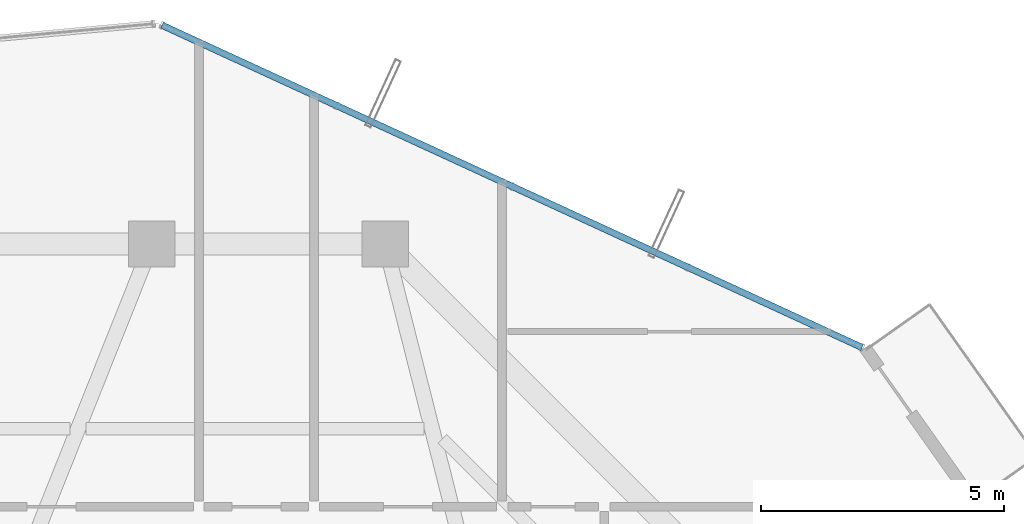
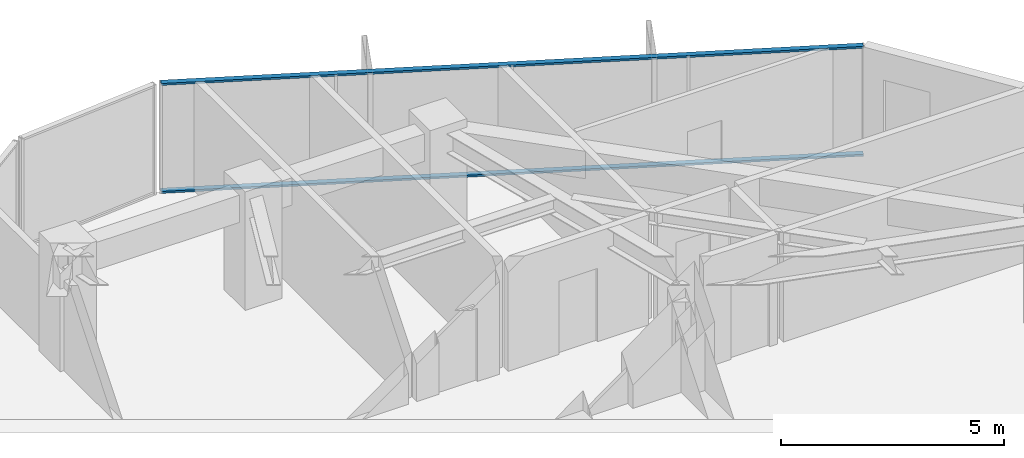
# One storey, part 25 of 32: 2 members, 1 element without a shape of its own.
"""IFC4 building model written with IfcOpenShell, lengths in metres."""

from ifc_helpers import new_model, si_unit, direction, frame, origin, origin_2d, place, context, subcontext, project, spatial, hollow_rectangle, extrude, source, transform, mapped, material, layer, layer_set, material_profile, profile_set, type_object, element, aggregate, save


model = new_model("IFC4")

# Units and contexts
model_context = context("Model", 3, precision=1e-05, world=origin(), true_north=direction((0.0, 1.0)))
body_context = subcontext(model_context, "Body", "Model", "MODEL_VIEW")
ifc_project = project(units=[si_unit("LENGTHUNIT", "METRE"), si_unit("AREAUNIT", "SQUARE_METRE"), si_unit("VOLUMEUNIT", "CUBIC_METRE"), si_unit("PLANEANGLEUNIT", "RADIAN"), si_unit("MASSUNIT", "GRAM", prefix="KILO")], contexts=[model_context])

# Site, building, storey
site_placement = place(None, origin())
site = spatial("IfcSite", under=ifc_project, at=site_placement, CompositionType="ELEMENT")
building_placement = place(site_placement, origin())
building = spatial("IfcBuilding", under=site, at=building_placement, Name="Veraguas Prism Commons", CompositionType="ELEMENT")
storey_placement = place(building_placement, frame((0.0, 0.0, 188.60009765625)))
storey = spatial("IfcBuildingStorey", under=building, at=storey_placement, Name="L53", CompositionType="ELEMENT", Elevation=188.60009765625)

# Curtain wall, members
ifc_material = material(Name="Anodised aluminium EN AW-6063 T6", Category="aluminium")
ifc_layer = layer(ifc_material, 0.14990234375, Name="Unitised Flush Curtain Wall Zone 3", Category="aluminium")
ifc_layer_set = layer_set([ifc_layer], Name="Anodised aluminium EN AW-6063 T6")
curtain_wall_type = type_object("IfcCurtainWallType", Name="Unitised Flush Curtain Wall Zone 3", PredefinedType="NOTDEFINED", material=ifc_layer_set)
curtain_wall_placement = place(storey_placement, origin())
curtain_wall = element("IfcCurtainWall", 1, at=curtain_wall_placement, inside=storey, type_object=curtain_wall_type, Name="Tower Facade Curtain Wall L53-F1", PredefinedType="NOTDEFINED")
ifc_material_profile = material_profile(ifc_material, hollow_rectangle(XDim=0.054931640625, YDim=0.135009765625, WallThickness=0.0029296875, at=origin_2d()), Name="AL55X135X3")
ifc_profile_set = profile_set([ifc_material_profile], Name="Anodised aluminium EN AW-6063 T6")
member_type = type_object("IfcMemberType", Name="Curtain Wall Transom Standard AL 55x135x3", PredefinedType="USERDEFINED", material=ifc_profile_set)
shared_shape = source(origin(), body_context, "Body", "SweptSolid", [
    extrude(hollow_rectangle(XDim=0.054931640625, YDim=0.135009765625, WallThickness=0.0029296875, at=origin_2d()), origin(), (0.0, 0.0, 1.0), 15.8427734375),
])
member_1_placement = place(storey_placement, frame((38.6015625, 36.774658203125, 0.02734375), z_axis=(-0.908359937271, 0.418189220761, 0.0), x_axis=(0.0, 0.0, 1.0)))
member_1 = element("IfcMember", 2, at=member_1_placement, type_object=member_type, Name="CW-Z3 Transom 1", ObjectType="TRANSOM", PredefinedType="USERDEFINED", context=body_context, shape_type="MappedRepresentation", body=[
    mapped(shared_shape, transform((0.0, 0.0, 0.0), scale=1.0)),
])
member_2_placement = place(storey_placement, frame((38.6015625, 36.774658203125, 2.9873046875), z_axis=(-0.908359937271, 0.418189220761, 0.0), x_axis=(0.0, 0.0, 1.0)))
member_2 = element("IfcMember", 3, at=member_2_placement, type_object=member_type, Name="CW-Z3 Transom 2", ObjectType="TRANSOM", PredefinedType="USERDEFINED", context=body_context, shape_type="MappedRepresentation", body=[
    mapped(shared_shape, transform((0.0, 0.0, 0.0), scale=1.0)),
])
aggregate(curtain_wall, [member_1, member_2])

save(model, "model.ifc")
